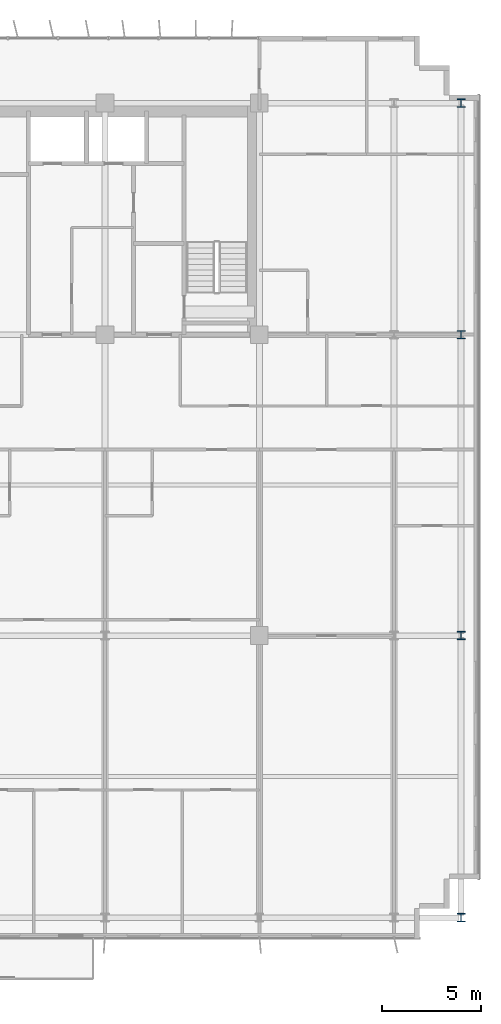
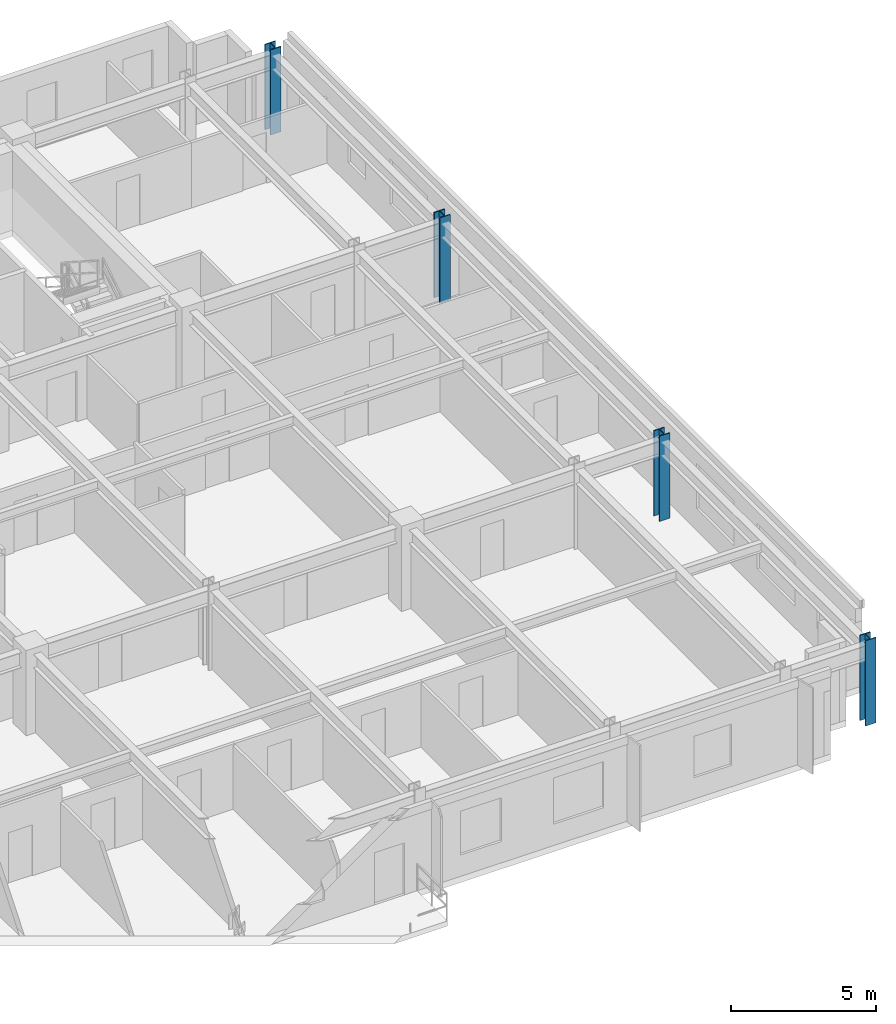
# One storey, part 3 of 24: 4 columns.
"""IFC4 building model written with IfcOpenShell, lengths in metres."""

from ifc_helpers import new_model, si_unit, direction, frame, origin, origin_2d, place, context, subcontext, project, spatial, i_section, extrude, source, transform, mapped, material, material_profile, profile_set, type_object, element, save


model = new_model("IFC4")

# Units and contexts
model_context = context("Model", 3, precision=1e-05, world=origin(), true_north=direction((0.0, 1.0)))
body_context = subcontext(model_context, "Body", "Model", "MODEL_VIEW")
ifc_project = project(units=[si_unit("LENGTHUNIT", "METRE"), si_unit("AREAUNIT", "SQUARE_METRE"), si_unit("VOLUMEUNIT", "CUBIC_METRE"), si_unit("PLANEANGLEUNIT", "RADIAN"), si_unit("MASSUNIT", "GRAM", prefix="KILO")], contexts=[model_context])

# Site, building, storey
site_placement = place(None, origin())
site = spatial("IfcSite", under=ifc_project, at=site_placement, CompositionType="ELEMENT")
building_placement = place(site_placement, origin())
building = spatial("IfcBuilding", under=site, at=building_placement, Name="Trelvane Seafront Commons", CompositionType="ELEMENT")
storey_placement = place(building_placement, frame((0.0, 0.0, 27.10009765625)))
storey = spatial("IfcBuildingStorey", under=building, at=storey_placement, Name="L06", CompositionType="ELEMENT", Elevation=27.10009765625)

# Columns
ifc_material = material(Name="Steel SM355 (S355)", Category="steel")
ifc_material_profile = material_profile(ifc_material, i_section(OverallWidth=0.419921875, OverallDepth=0.419921875, WebThickness=0.02587890625, FlangeThickness=0.0400390625, at=origin_2d()), Name="HD-420x420x26x40")
ifc_profile_set = profile_set([ifc_material_profile], Name="Steel SM355 (S355)")
column_type = type_object("IfcColumnType", Name="STR-COL-HD420", PredefinedType="COLUMN", material=ifc_profile_set)
shared_shape = source(origin(), body_context, "Body", "SweptSolid", [
    extrude(i_section(OverallWidth=0.419921875, OverallDepth=0.419921875, WebThickness=0.02587890625, FlangeThickness=0.0400390625, at=origin_2d()), origin(), (0.0, 0.0, 1.0), 3.599853515625),
])
for number, where, z_axis, x_axis, name in (
    (1, (69.0, 3.949951171875, 0.0), (0.0, 0.0, 1.0), (1.0, 0.0, 0.0), "L06 Column TC-S69.0"),
    (2, (69.0, 18.199951171875, 0.0), (0.0, 0.0, 1.0), (1.0, 0.0, 0.0), "L06 Column TC-M69.0"),
    (3, (69.0, 33.39990234375, 0.0), (0.0, 0.0, 1.0), (1.0, 0.0, 0.0), "L06 Column TC-CS69.0"),
    (4, (69.0, 45.10009765625, 0.0), (0.0, 0.0, 1.0), (1.0, 0.0, 0.0), "L06 Column TC-CN69.0"),
):
    element("IfcColumn", number, at=place(storey_placement, frame(where, z_axis=z_axis, x_axis=x_axis)), inside=storey, type_object=column_type, Name=name, PredefinedType="COLUMN", context=body_context, shape_type="MappedRepresentation", body=[
        mapped(shared_shape, transform((0.0, 0.0, 0.0), x_axis=(1.0, 0.0, 0.0), y_axis=(0.0, 1.0, 0.0), z_axis=(0.0, 0.0, 1.0), scale=1.0)),
    ])

save(model, "model.ifc")
